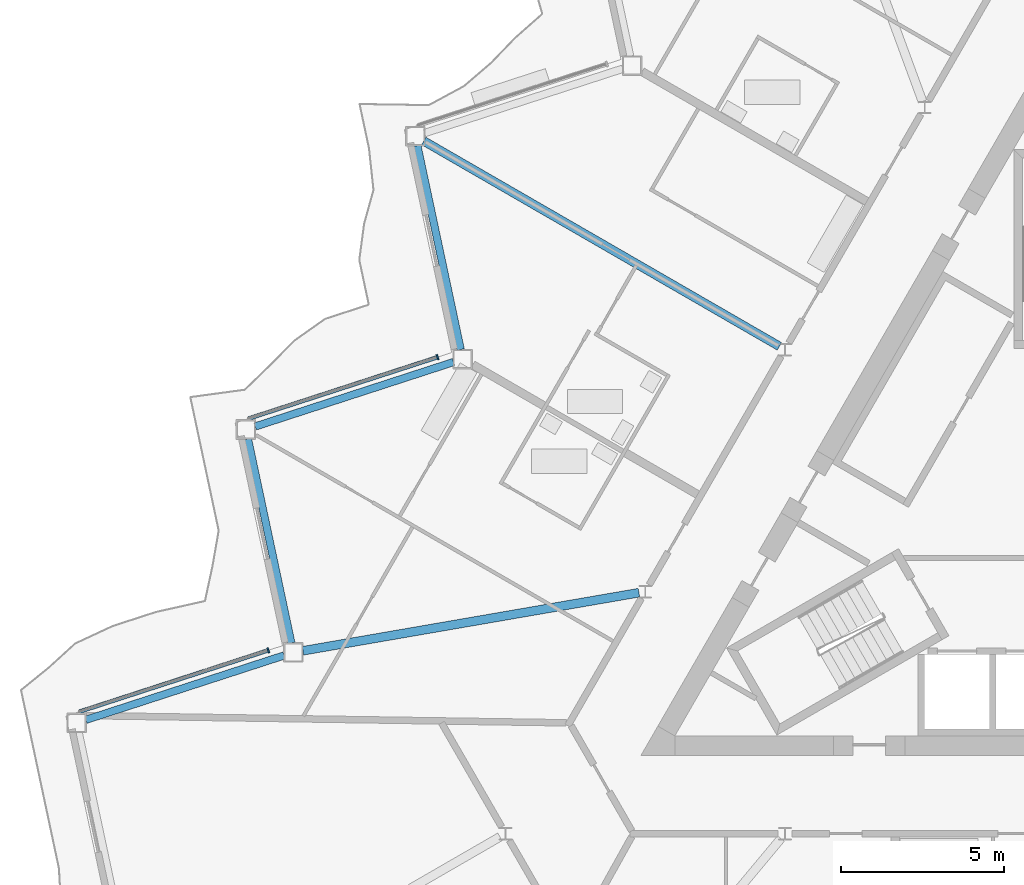
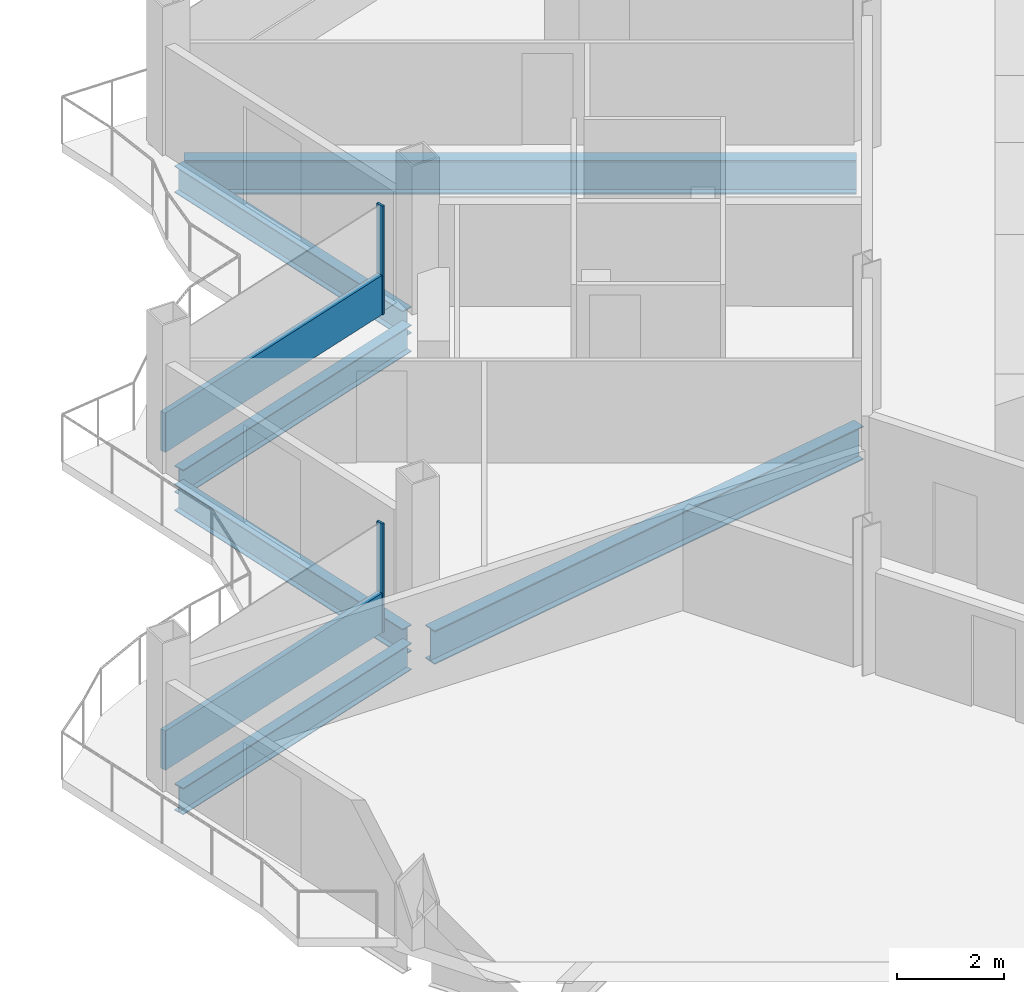
# One storey, part 6 of 26: 6 beams, 4 members, 2 elements without a shape of their own.
"""IFC4 building model written with IfcOpenShell, lengths in metres."""

from ifc_helpers import new_model, si_unit, direction, frame, origin, origin_2d, place, context, subcontext, project, spatial, rectangle, i_section, extrude, material, layer, layer_set, material_profile, profile_set, type_object, element, aggregate, save


model = new_model("IFC4")

# Units and contexts
model_context = context("Model", 3, precision=1e-05, world=origin(), true_north=direction((0.0, 1.0)))
body_context = subcontext(model_context, "Body", "Model", "MODEL_VIEW")
ifc_project = project(units=[si_unit("LENGTHUNIT", "METRE"), si_unit("AREAUNIT", "SQUARE_METRE"), si_unit("VOLUMEUNIT", "CUBIC_METRE"), si_unit("PLANEANGLEUNIT", "RADIAN"), si_unit("MASSUNIT", "GRAM", prefix="KILO")], contexts=[model_context])

# Site, building, storey
site_placement = place(None, origin())
site = spatial("IfcSite", under=ifc_project, at=site_placement, CompositionType="ELEMENT")
building_placement = place(site_placement, origin())
building = spatial("IfcBuilding", under=site, at=building_placement, Name="Cormorant Prow Tower", CompositionType="ELEMENT")
storey_placement = place(building_placement, frame((0.0, 0.0, 322.199951171875)))
storey = spatial("IfcBuildingStorey", under=building, at=storey_placement, Name="L71", CompositionType="ELEMENT", Elevation=322.199951171875)

# Beams
ifc_material_1 = material(Name="Structural steel ASTM A992 Gr 50", Category="steel")
ifc_material_profile_1 = material_profile(ifc_material_1, i_section(OverallWidth=0.267822265625, OverallDepth=0.77001953125, WebThickness=0.015625, FlangeThickness=0.025390625, at=origin_2d()), Name="W30x132")
ifc_profile_set_1 = profile_set([ifc_material_profile_1], Name="Structural steel ASTM A992 Gr 50")
beam_type_1 = type_object("IfcBeamType", Name="Radial floor beam W30x132", PredefinedType="BEAM", material=ifc_profile_set_1)
beam_1_placement = place(storey_placement, frame((-8.749755859375, 5.051513671875, -0.684814453125), z_axis=(-0.866021086443, 0.50000747778, 0.0), x_axis=(-0.50000747778, -0.866021086443, 0.0)))
element("IfcBeam", 1, at=beam_1_placement, inside=storey, type_object=beam_type_1, Name="Radial floor beam FB3 3 L71", PredefinedType="BEAM", context=body_context, shape_type="SweptSolid", body=[
    extrude(i_section(OverallWidth=0.267822265625, OverallDepth=0.77001953125, WebThickness=0.015625, FlangeThickness=0.025390625, at=origin_2d()), origin(), (0.0, 0.0, 1.0), 12.604736328125),
])
beam_2_placement = place(storey_placement, frame((-13.0625, -2.510009765625, -0.684814453125), z_axis=(-0.985379592304, -0.170373293304, 0.0), x_axis=(0.170373293304, -0.985379592304, 0.0)))
element("IfcBeam", 2, at=beam_2_placement, inside=storey, type_object=beam_type_1, Name="Radial floor beam FB3 4 L71", PredefinedType="BEAM", context=body_context, shape_type="SweptSolid", body=[
    extrude(i_section(OverallWidth=0.267822265625, OverallDepth=0.77001953125, WebThickness=0.015625, FlangeThickness=0.025390625, at=origin_2d()), origin(), (0.0, 0.0, 1.0), 10.465087890625),
])

# Curtain wall, member
ifc_material_2 = material(Name="Aluminium 6063-T6", Category="aluminium")
ifc_layer = layer(ifc_material_2, 0.159912109375)
ifc_layer_set = layer_set([ifc_layer], Name="Aluminium 6063-T6")
curtain_wall_type = type_object("IfcCurtainWallType", Name="Residential unitised curtain wall 160", PredefinedType="NOTDEFINED", material=ifc_layer_set)
curtain_wall_1_placement = place(storey_placement, origin())
curtain_wall_1 = element("IfcCurtainWall", 3, at=curtain_wall_1_placement, inside=storey, type_object=curtain_wall_type, Name="Residential curtain wall WNW06", PredefinedType="NOTDEFINED")
ifc_material_3 = material(Name="Aluminium 6063-T6", Category="aluminium")
ifc_material_profile_2 = material_profile(ifc_material_3, rectangle(XDim=0.159912109375, YDim=0.050048828125, at=origin_2d()), Name="Residential mullion 50x160")
ifc_profile_set_2 = profile_set([ifc_material_profile_2], Name="Aluminium 6063-T6")
member_type_1 = type_object("IfcMemberType", Name="Residential mullion 50x160", PredefinedType="MULLION", material=ifc_profile_set_2)
member_1_placement = place(storey_placement, frame((-19.244384765625, 4.718505859375, 0.0), z_axis=(0.0, 0.0, 1.0), x_axis=(0.309017021913, -0.951056507348, 0.0)))
member_1 = element("IfcMember", 4, at=member_1_placement, type_object=member_type_1, Name="Residential mullion WNW06", PredefinedType="MULLION", context=body_context, shape_type="SweptSolid", body=[
    extrude(rectangle(XDim=0.159912109375, YDim=0.050048828125, at=origin_2d()), origin(), (0.0, 0.0, 1.0), 2.488037109375),
])

curtain_wall_2_placement = place(storey_placement, origin())
curtain_wall_2 = element("IfcCurtainWall", 5, at=curtain_wall_2_placement, inside=storey, type_object=curtain_wall_type, Name="Residential curtain wall WNW08", PredefinedType="NOTDEFINED")
member_2_placement = place(storey_placement, frame((-24.43896484375, -4.279052734375, 0.0), z_axis=(0.0, 0.0, 1.0), x_axis=(0.309017021913, -0.951056507348, 0.0)))
member_2 = element("IfcMember", 6, at=member_2_placement, type_object=member_type_1, Name="Residential mullion WNW08", PredefinedType="MULLION", context=body_context, shape_type="SweptSolid", body=[
    extrude(rectangle(XDim=0.159912109375, YDim=0.050048828125, at=origin_2d()), origin(), (0.0, 0.0, 1.0), 2.488037109375),
])

# Member
ifc_material_4 = material(Name="Terracotta", Category="masonry")
ifc_material_profile_3 = material_profile(ifc_material_4, rectangle(XDim=0.1201171875, YDim=0.89990234375, at=origin_2d()), Name="Residential terracotta spandrel rail 120x900")
ifc_profile_set_3 = profile_set([ifc_material_profile_3], Name="Terracotta")
member_type_2 = type_object("IfcMemberType", Name="Residential terracotta spandrel rail 120x900", PredefinedType="USERDEFINED", material=ifc_profile_set_3)
member_3_placement = place(storey_placement, frame((-19.26806640625, 4.710693359375, 0.449951171875), z_axis=(-0.951064202661, -0.308993337171, 0.0), x_axis=(0.308993337171, -0.951064202661, 0.0)))
member_3 = element("IfcMember", 7, at=member_3_placement, type_object=member_type_2, Name="Residential spandrel rail WNW06", ObjectType="TRANSOM", PredefinedType="USERDEFINED", context=body_context, shape_type="SweptSolid", body=[
    extrude(rectangle(XDim=0.1201171875, YDim=0.89990234375, at=origin_2d()), origin(), (0.0, 0.0, 1.0), 6.072021484375),
])

aggregate(curtain_wall_1, [member_1, member_3])

member_4_placement = place(storey_placement, frame((-24.462646484375, -4.28662109375, 0.449951171875), z_axis=(-0.95105622579, -0.309017888456, 0.0), x_axis=(0.309017888456, -0.95105622579, 0.0)))
member_4 = element("IfcMember", 8, at=member_4_placement, type_object=member_type_2, Name="Residential spandrel rail WNW08", ObjectType="TRANSOM", PredefinedType="USERDEFINED", context=body_context, shape_type="SweptSolid", body=[
    extrude(rectangle(XDim=0.1201171875, YDim=0.89990234375, at=origin_2d()), origin(), (0.0, 0.0, 1.0), 6.072265625),
])

aggregate(curtain_wall_2, [member_2, member_4])

# Beams
ifc_material_5 = material(Name="Structural steel ASTM A992 Gr 50", Category="steel")
ifc_material_profile_4 = material_profile(ifc_material_5, i_section(OverallWidth=0.22900390625, OverallDepth=0.612060546875, WebThickness=0.011962890625, FlangeThickness=0.01953125, at=origin_2d()), Name="W24x84")
ifc_profile_set_4 = profile_set([ifc_material_profile_4], Name="Structural steel ASTM A992 Gr 50")
beam_type_2 = type_object("IfcBeamType", Name="Spandrel beam W24x84", PredefinedType="SPANDREL", material=ifc_profile_set_4)
beam_3_placement = place(storey_placement, frame((-19.86328125, 11.210693359375, -0.60595703125), z_axis=(0.20791262393, -0.978147402394, 0.0), x_axis=(0.978147402394, 0.20791262393, 0.0)))
element("IfcBeam", 9, at=beam_3_placement, inside=storey, type_object=beam_type_2, Name="Spandrel beam SB3 WNW05-WNW06 L71", PredefinedType="SPANDREL", context=body_context, shape_type="SweptSolid", body=[
    extrude(i_section(OverallWidth=0.22900390625, OverallDepth=0.612060546875, WebThickness=0.011962890625, FlangeThickness=0.01953125, at=origin_2d()), origin(), (0.0, 0.0, 1.0), 6.396240234375),
])
beam_4_placement = place(storey_placement, frame((-18.75634765625, 4.568115234375, -0.60595703125), z_axis=(-0.951064359156, -0.308992855489, 0.0), x_axis=(0.308992855489, -0.951064359156, 0.0)))
element("IfcBeam", 10, at=beam_4_placement, inside=storey, type_object=beam_type_2, Name="Spandrel beam SB3 WNW06-WNW07 L71", PredefinedType="SPANDREL", context=body_context, shape_type="SweptSolid", body=[
    extrude(i_section(OverallWidth=0.22900390625, OverallDepth=0.612060546875, WebThickness=0.011962890625, FlangeThickness=0.01953125, at=origin_2d()), origin(), (0.0, 0.0, 1.0), 6.39599609375),
])
beam_5_placement = place(storey_placement, frame((-25.062255859375, 2.20556640625, -0.60595703125), z_axis=(0.20791262393, -0.978147402394, 0.0), x_axis=(0.978147402394, 0.20791262393, 0.0)))
element("IfcBeam", 11, at=beam_5_placement, inside=storey, type_object=beam_type_2, Name="Spandrel beam SB3 WNW07-WNW08 L71", PredefinedType="SPANDREL", context=body_context, shape_type="SweptSolid", body=[
    extrude(i_section(OverallWidth=0.22900390625, OverallDepth=0.612060546875, WebThickness=0.011962890625, FlangeThickness=0.01953125, at=origin_2d()), origin(), (0.0, 0.0, 1.0), 6.396240234375),
])
beam_6_placement = place(storey_placement, frame((-23.955322265625, -4.43701171875, -0.60595703125), z_axis=(-0.951064359156, -0.308992855489, 0.0), x_axis=(0.308992855489, -0.951064359156, 0.0)))
element("IfcBeam", 12, at=beam_6_placement, inside=storey, type_object=beam_type_2, Name="Spandrel beam SB3 WNW08-WNW09 L71", PredefinedType="SPANDREL", context=body_context, shape_type="SweptSolid", body=[
    extrude(i_section(OverallWidth=0.22900390625, OverallDepth=0.612060546875, WebThickness=0.011962890625, FlangeThickness=0.01953125, at=origin_2d()), origin(), (0.0, 0.0, 1.0), 6.39599609375),
])

save(model, "model.ifc")
